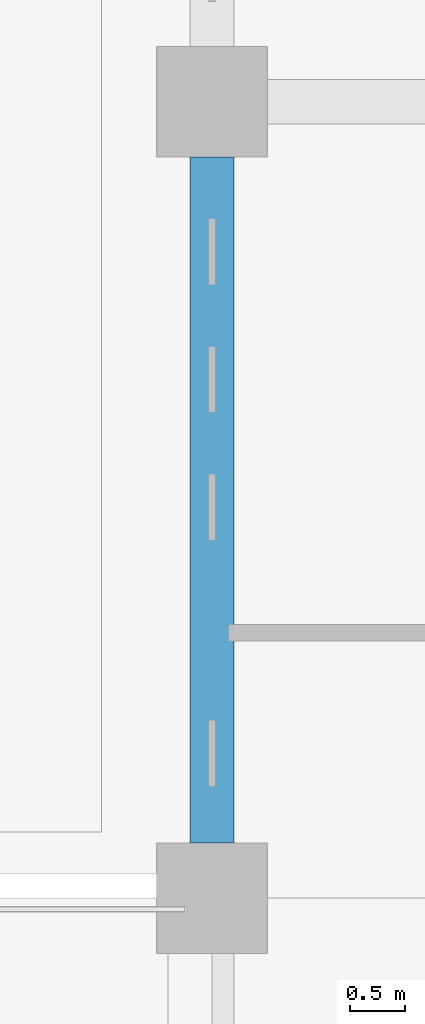
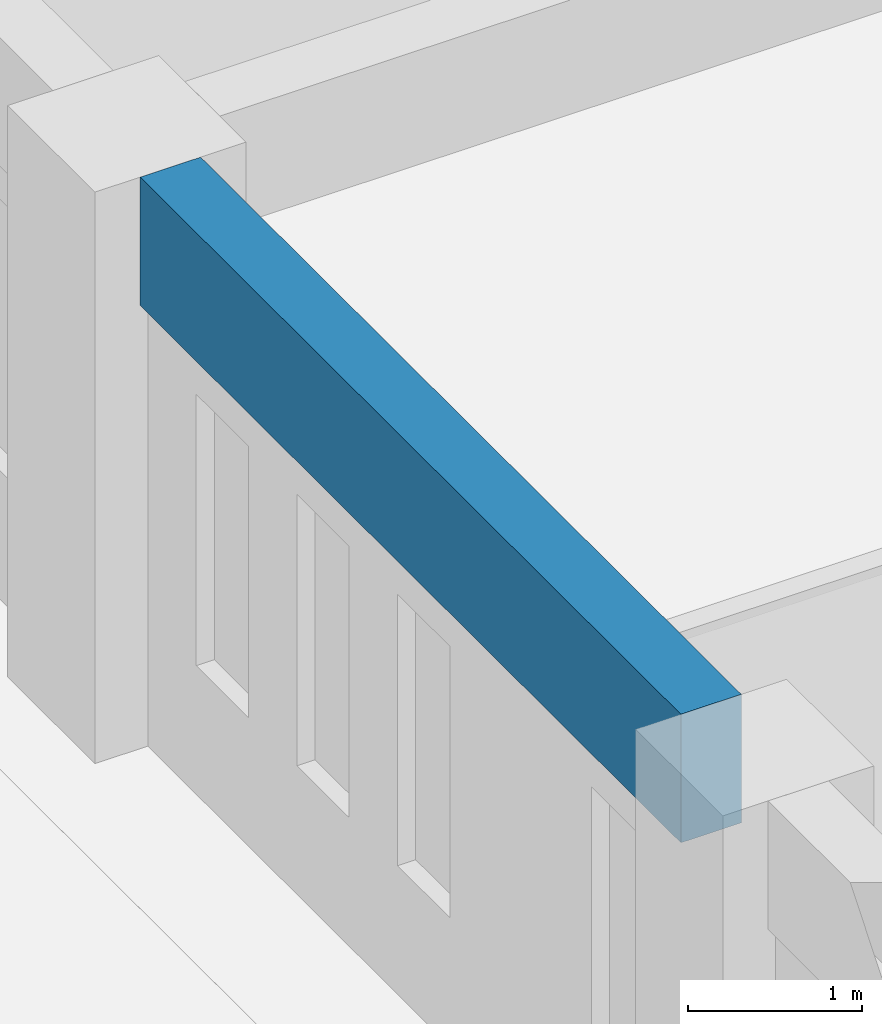
# One storey, part 38 of 101: 1 beam.
"""IFC4 building model written with IfcOpenShell, lengths in metres."""

from ifc_helpers import new_model, si_unit, direction, frame, origin, origin_2d, place, context, subcontext, project, spatial, rectangle, extrude, material, material_profile, profile_set, type_object, element, save


model = new_model("IFC4")

# Units and contexts
model_context = context("Model", 3, precision=1e-05, world=origin(), true_north=direction((0.0, 1.0)))
body_context = subcontext(model_context, "Body", "Model", "MODEL_VIEW")
ifc_project = project(units=[si_unit("LENGTHUNIT", "METRE"), si_unit("AREAUNIT", "SQUARE_METRE"), si_unit("VOLUMEUNIT", "CUBIC_METRE"), si_unit("PLANEANGLEUNIT", "RADIAN"), si_unit("MASSUNIT", "GRAM", prefix="KILO")], contexts=[model_context])

# Site, building, storey
site_placement = place(None, origin())
site = spatial("IfcSite", under=ifc_project, at=site_placement, CompositionType="ELEMENT")
building_placement = place(site_placement, origin())
building = spatial("IfcBuilding", under=site, at=building_placement, Name="Laocheng Heights Fire and Rescue Headquarters", CompositionType="ELEMENT")
storey_placement = place(building_placement, frame((0.0, 0.0, 8.39990234375)))
storey = spatial("IfcBuildingStorey", under=building, at=storey_placement, Name="L02", CompositionType="ELEMENT", Elevation=8.39990234375)

# Beam
ifc_material = material(Name="Concrete C40", Category="concrete")
ifc_material_profile = material_profile(ifc_material, rectangle(XDim=0.39990234375, YDim=0.89990234375, at=origin_2d()), Name="RC BEAM 400x900 HQ")
ifc_profile_set = profile_set([ifc_material_profile], Name="Concrete C40")
beam_type = type_object("IfcBeamType", Name="RC BEAM 400x900 HQ", PredefinedType="BEAM", material=ifc_profile_set)
beam_placement = place(storey_placement, frame((36.0, 58.10009765625, 3.550048828125), z_axis=(0.0, 1.0, 0.0), x_axis=(-1.0, 0.0, 0.0)))
element("IfcBeam", 1, at=beam_placement, inside=storey, type_object=beam_type, Name="HQ beam L02", PredefinedType="BEAM", context=body_context, shape_type="SweptSolid", body=[
    extrude(rectangle(XDim=0.39990234375, YDim=0.89990234375, at=origin_2d()), origin(), (0.0, 0.0, 1.0), 6.199951171875),
])

save(model, "model.ifc")
